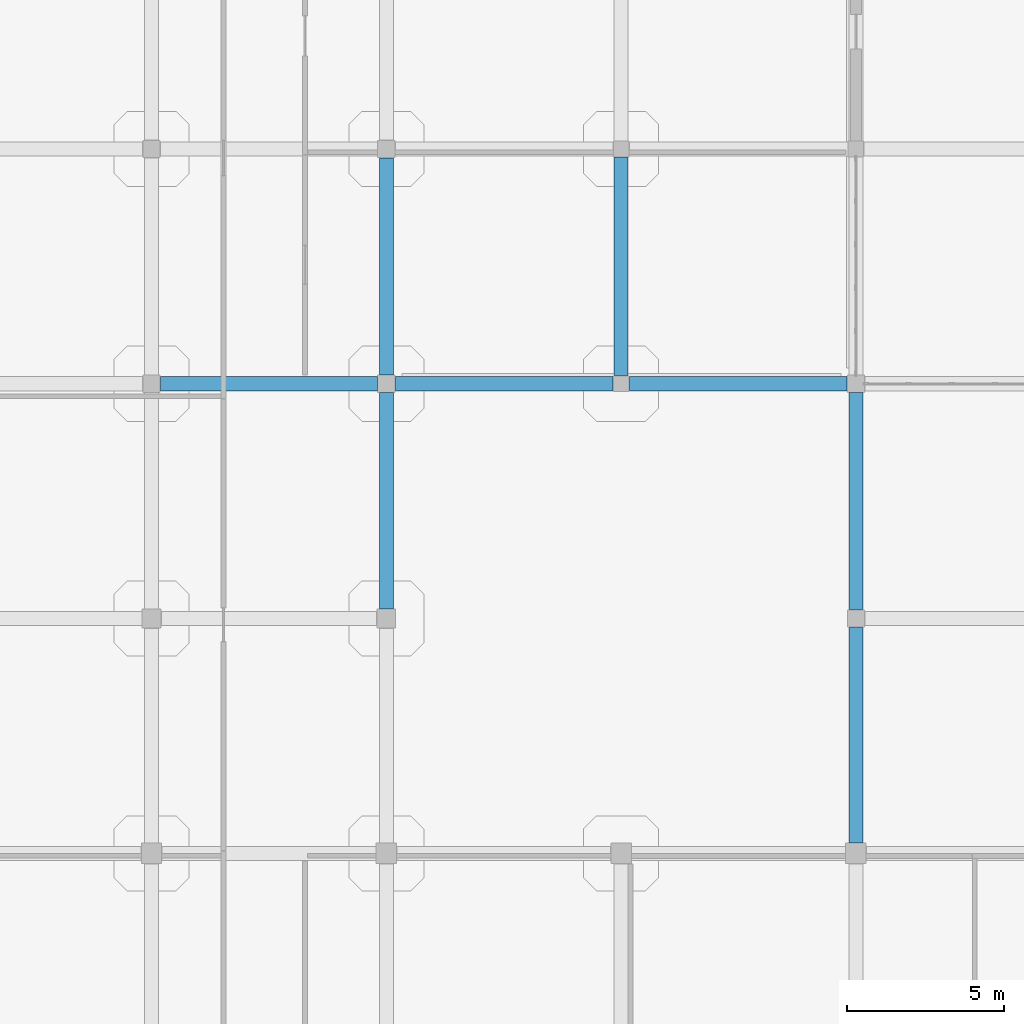
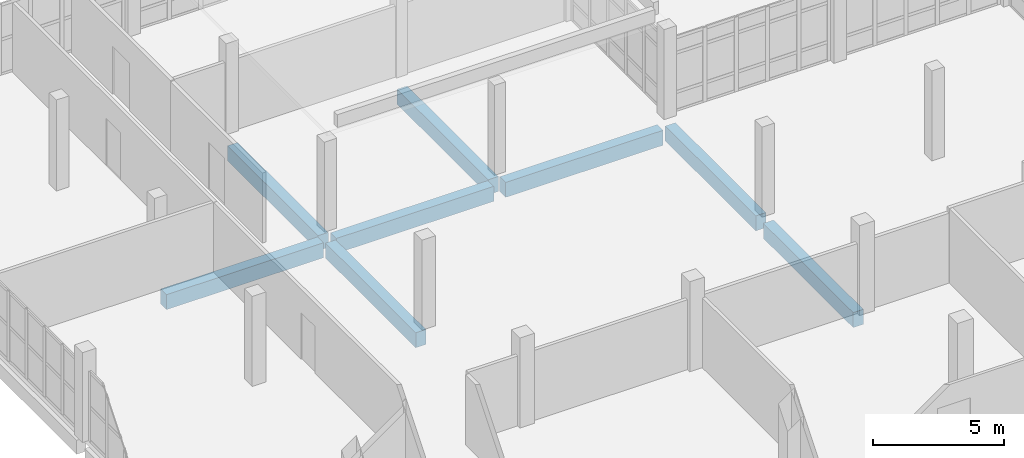
# One storey, part 40 of 164: 8 beams.
"""IFC4 building model written with IfcOpenShell, lengths in metres."""

from ifc_helpers import new_model, si_unit, direction, frame, origin, origin_2d, place, context, subcontext, project, spatial, rectangle, extrude, material, material_profile, profile_set, type_object, element, save


model = new_model("IFC4")

# Units and contexts
model_context = context("Model", 3, precision=1e-05, world=origin(), true_north=direction((0.0, 1.0)))
body_context = subcontext(model_context, "Body", "Model", "MODEL_VIEW")
ifc_project = project(units=[si_unit("LENGTHUNIT", "METRE"), si_unit("AREAUNIT", "SQUARE_METRE"), si_unit("VOLUMEUNIT", "CUBIC_METRE"), si_unit("PLANEANGLEUNIT", "RADIAN"), si_unit("MASSUNIT", "GRAM", prefix="KILO")], contexts=[model_context])

# Site, building, storey
site_placement = place(None, origin())
site = spatial("IfcSite", under=ifc_project, at=site_placement, CompositionType="ELEMENT")
building_placement = place(site_placement, origin())
building = spatial("IfcBuilding", under=site, at=building_placement, Name="Mawjan Specialist Oncology Clinic", CompositionType="ELEMENT")
storey_placement = place(building_placement, frame((0.0, 0.0, 5.0)))
storey = spatial("IfcBuildingStorey", under=building, at=storey_placement, Name="L01", CompositionType="ELEMENT", Elevation=5.0)

# Beams
ifc_material = material(Name="Concrete C40/50", Category="concrete")
ifc_material_profile = material_profile(ifc_material, rectangle(XDim=0.449951171875, YDim=0.699951171875, at=origin_2d()), Name="RC BM 450x700", Category="concrete")
ifc_profile_set = profile_set([ifc_material_profile], Name="Concrete C40/50")
beam_type = type_object("IfcBeamType", Name="BM-450x700", PredefinedType="BEAM", material=ifc_profile_set)
beam_1_placement = place(storey_placement, frame((7.784912109375, 60.800048828125, -0.8701171875), z_axis=(1.0, 0.0, 0.0), x_axis=(0.0, 1.0, 0.0)))
element("IfcBeam", 1, at=beam_1_placement, inside=storey, type_object=beam_type, Name="L01 Collector Beam BM-L01-0292", PredefinedType="BEAM", context=body_context, shape_type="SweptSolid", body=[
    extrude(rectangle(XDim=0.449951171875, YDim=0.699951171875, at=origin_2d()), origin(), (0.0, 0.0, 1.0), 6.93017578125),
])
for number, where, z_axis, x_axis, name in (
    (2, (15.284912109375, 60.800048828125, -0.8701171875), (1.0, 0.0, 0.0), (0.0, 1.0, 0.0), "L01 Collector Beam BM-L01-0293"),
    (3, (22.760009765625, 60.800048828125, -0.8701171875), (1.0, 0.0, 0.0), (0.0, 1.0, 0.0), "L01 Collector Beam BM-L01-0294"),
):
    element("IfcBeam", number, at=place(storey_placement, frame(where, z_axis=z_axis, x_axis=x_axis)), inside=storey, type_object=beam_type, Name=name, PredefinedType="BEAM", context=body_context, shape_type="SweptSolid", body=[
        extrude(rectangle(XDim=0.449951171875, YDim=0.699951171875, at=origin_2d()), origin(), (0.0, 0.0, 1.0), 6.955078125),
    ])
beam_2_placement = place(storey_placement, frame((15.0, 53.610107421875, -0.8701171875), z_axis=(0.0, 1.0, 0.0), x_axis=(-1.0, 0.0, 0.0)))
element("IfcBeam", 4, at=beam_2_placement, inside=storey, type_object=beam_type, Name="L01 Collector Beam BM-L01-0443", PredefinedType="BEAM", context=body_context, shape_type="SweptSolid", body=[
    extrude(rectangle(XDim=0.449951171875, YDim=0.699951171875, at=origin_2d()), origin(), (0.0, 0.0, 1.0), 6.90478515625),
])
beam_3_placement = place(storey_placement, frame((15.0, 61.0849609375, -0.8701171875), z_axis=(0.0, 1.0, 0.0), x_axis=(-1.0, 0.0, 0.0)))
element("IfcBeam", 5, at=beam_3_placement, inside=storey, type_object=beam_type, Name="L01 Collector Beam BM-L01-0444", PredefinedType="BEAM", context=body_context, shape_type="SweptSolid", body=[
    extrude(rectangle(XDim=0.449951171875, YDim=0.699951171875, at=origin_2d()), origin(), (0.0, 0.0, 1.0), 6.929931640625),
])
beam_4_placement = place(storey_placement, frame((22.5, 61.06005859375, -0.8701171875), z_axis=(0.0, 1.0, 0.0), x_axis=(-1.0, 0.0, 0.0)))
element("IfcBeam", 6, at=beam_4_placement, inside=storey, type_object=beam_type, Name="L01 Collector Beam BM-L01-0450", PredefinedType="BEAM", context=body_context, shape_type="SweptSolid", body=[
    extrude(rectangle(XDim=0.449951171875, YDim=0.699951171875, at=origin_2d()), origin(), (0.0, 0.0, 1.0), 6.97998046875),
])
beam_5_placement = place(storey_placement, frame((30.0, 46.135009765625, -0.64990234375), z_axis=(0.0, 1.0, 0.0), x_axis=(-1.0, 0.0, 0.0)))
element("IfcBeam", 7, at=beam_5_placement, inside=storey, type_object=beam_type, Name="L01 Collector Beam BM-L01-0458", PredefinedType="BEAM", context=body_context, shape_type="SweptSolid", body=[
    extrude(rectangle(XDim=0.449951171875, YDim=0.699951171875, at=origin_2d()), origin(), (0.0, 0.0, 1.0), 6.8798828125),
])
beam_6_placement = place(storey_placement, frame((30.0, 53.5849609375, -0.64990234375), z_axis=(0.0, 1.0, 0.0), x_axis=(-1.0, 0.0, 0.0)))
element("IfcBeam", 8, at=beam_6_placement, inside=storey, type_object=beam_type, Name="L01 Collector Beam BM-L01-0459", PredefinedType="BEAM", context=body_context, shape_type="SweptSolid", body=[
    extrude(rectangle(XDim=0.449951171875, YDim=0.699951171875, at=origin_2d()), origin(), (0.0, 0.0, 1.0), 6.929931640625),
])

save(model, "model.ifc")
